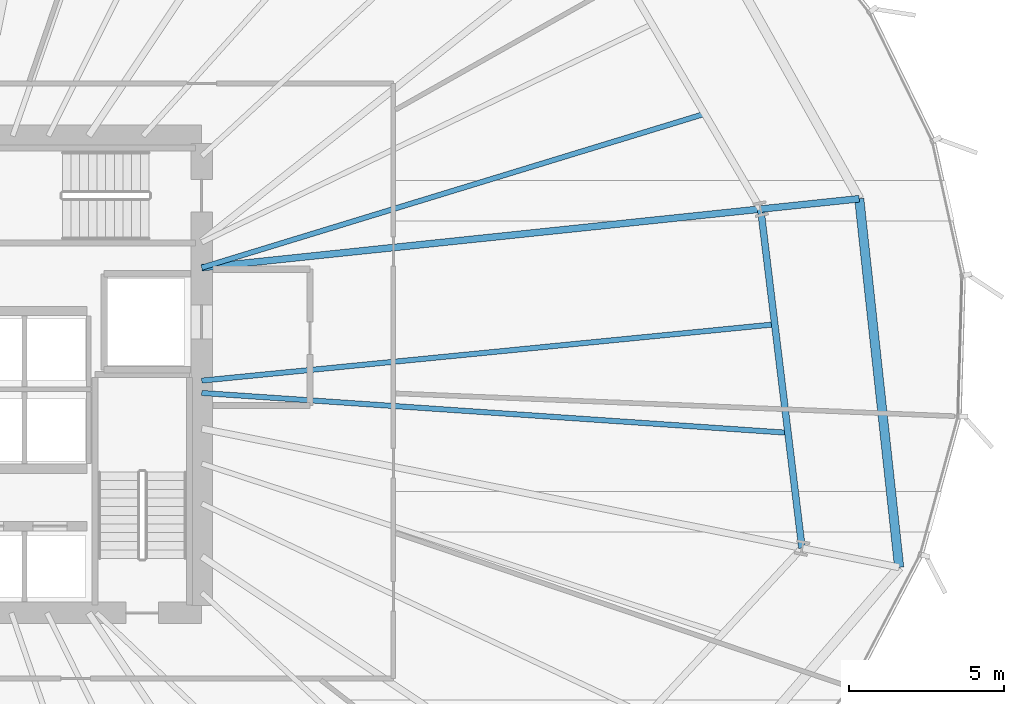
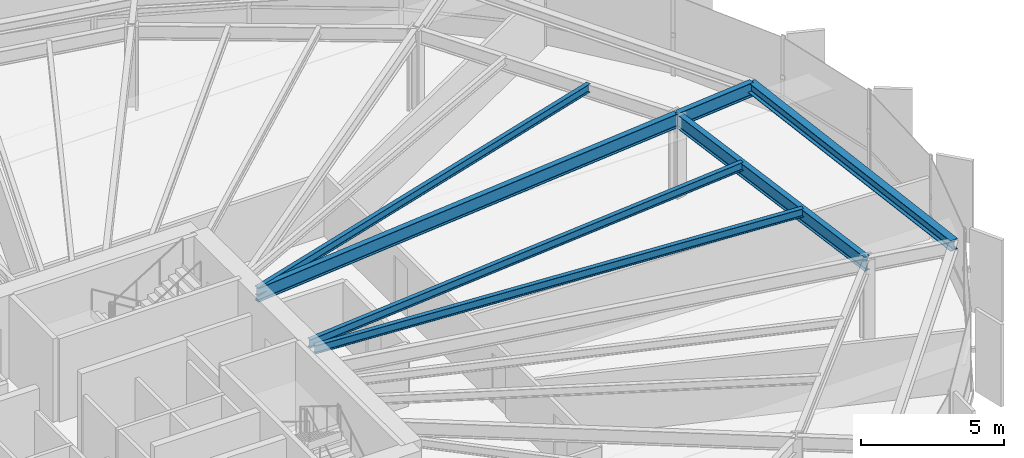
# One storey, part 17 of 38: 7 beams.
"""IFC4 building model written with IfcOpenShell, lengths in metres."""

from ifc_helpers import new_model, si_unit, direction, frame, origin, origin_2d, place, context, subcontext, project, spatial, i_section, extrude, source, transform, mapped, material, material_profile, profile_set, type_object, element, save


model = new_model("IFC4")

# Units and contexts
model_context = context("Model", 3, precision=1e-05, world=origin(), true_north=direction((0.0, 1.0)))
body_context = subcontext(model_context, "Body", "Model", "MODEL_VIEW")
ifc_project = project(units=[si_unit("LENGTHUNIT", "METRE"), si_unit("AREAUNIT", "SQUARE_METRE"), si_unit("VOLUMEUNIT", "CUBIC_METRE"), si_unit("PLANEANGLEUNIT", "RADIAN"), si_unit("MASSUNIT", "GRAM", prefix="KILO"), si_unit("THERMODYNAMICTEMPERATUREUNIT", "KELVIN")], contexts=[model_context])

# Site, building, storey
site_placement = place(None, origin())
site = spatial("IfcSite", under=ifc_project, at=site_placement, CompositionType="ELEMENT")
building_placement = place(site_placement, origin())
building = spatial("IfcBuilding", under=site, at=building_placement, Name="Kethvar Cultural Tower", CompositionType="ELEMENT")
storey_placement = place(building_placement, frame((0.0, 0.0, 52.39990234375)))
storey = spatial("IfcBuildingStorey", under=building, at=storey_placement, Name="L12", CompositionType="ELEMENT", Elevation=52.39990234375)

# Beams
ifc_material = material(Name="Steel S355J2", Category="steel")
ifc_material_profile_1 = material_profile(ifc_material, i_section(OverallWidth=0.219970703125, OverallDepth=0.60009765625, WebThickness=0.011962890625, FlangeThickness=0.01904296875, FilletRadius=0.02392578125, at=origin_2d()), Name="Steel S355J2 — IPE600")
ifc_profile_set_1 = profile_set([ifc_material_profile_1], Name="Steel S355J2 — IPE600")
beam_type_1 = type_object("IfcBeamType", Name="BM-IPE600", PredefinedType="BEAM", material=ifc_profile_set_1)
shared_shape_1 = source(origin(), body_context, "Body", "SweptSolid", [
    extrude(i_section(OverallWidth=0.219970703125, OverallDepth=0.60009765625, WebThickness=0.011962890625, FlangeThickness=0.01904296875, FilletRadius=0.02392578125, at=origin_2d()), origin(), (0.0, 0.0, 1.0), 18.155517578125),
])
beam_1_placement = place(storey_placement, frame((55.60009765625, 31.25, 3.248046875), z_axis=(0.994554710129, 0.104215778847, 0.0), x_axis=(-0.104215778847, 0.994554710129, 0.0)))
element("IfcBeam", 1, at=beam_1_placement, inside=storey, type_object=beam_type_1, Name="L12 Primary Radial Beam RB-01", PredefinedType="BEAM", context=body_context, shape_type="MappedRepresentation", body=[
    mapped(shared_shape_1, transform((0.0, 0.0, 0.0), scale=1.0)),
])
shared_shape_2 = source(origin(), body_context, "Body", "SweptSolid", [
    extrude(i_section(OverallWidth=0.219970703125, OverallDepth=0.60009765625, WebThickness=0.011962890625, FlangeThickness=0.01904296875, FilletRadius=0.02392578125, at=origin_2d()), origin(), (0.0, 0.0, 1.0), 3.199951171875),
])
beam_2_placement = place(storey_placement, frame((73.65673828125, 33.14208984375, 3.248046875), z_axis=(0.994554671638, 0.104216146169, 0.0), x_axis=(-0.104216146169, 0.994554671638, 0.0)))
element("IfcBeam", 2, at=beam_2_placement, inside=storey, type_object=beam_type_1, Name="L12 Perimeter Cantilever Beam RC-01", PredefinedType="BEAM", context=body_context, shape_type="MappedRepresentation", body=[
    mapped(shared_shape_2, transform((0.0, 0.0, 0.0), scale=1.0)),
])
ifc_material_profile_2 = material_profile(ifc_material, i_section(OverallWidth=0.169921875, OverallDepth=0.360107421875, WebThickness=0.008056640625, FlangeThickness=0.0126953125, FilletRadius=0.01806640625, at=origin_2d()), Name="Steel S355J2 — IPE360")
ifc_profile_set_2 = profile_set([ifc_material_profile_2], Name="Steel S355J2 — IPE360")
beam_type_2 = type_object("IfcBeamType", Name="BM-J360", PredefinedType="JOIST", material=ifc_profile_set_2)
shared_shape_3 = source(origin(), body_context, "Body", "SweptSolid", [
    extrude(i_section(OverallWidth=0.169921875, OverallDepth=0.360107421875, WebThickness=0.008056640625, FlangeThickness=0.0126953125, FilletRadius=0.01806640625, at=origin_2d()), origin(), (0.0, 0.0, 1.0), 16.990478515625),
])
beam_3_placement = place(storey_placement, frame((55.60009765625, 31.25, 3.3681640625), z_axis=(0.956287408668, 0.292428439149, 0.0), x_axis=(-0.292428439149, 0.956287408668, 0.0)))
element("IfcBeam", 3, at=beam_3_placement, inside=storey, type_object=beam_type_2, Name="L12 Composite Floor Joist J-01A", PredefinedType="JOIST", context=body_context, shape_type="MappedRepresentation", body=[
    mapped(shared_shape_3, transform((0.0, 0.0, 0.0), scale=1.0)),
])
shared_shape_4 = source(origin(), body_context, "Body", "SweptSolid", [
    extrude(i_section(OverallWidth=0.219970703125, OverallDepth=0.60009765625, WebThickness=0.011962890625, FlangeThickness=0.01904296875, FilletRadius=0.02392578125, at=origin_2d()), origin(), (0.0, 0.0, 1.0), 11.03076171875),
])
beam_4_placement = place(storey_placement, frame((74.9912109375, 22.1923828125, 3.248046875), z_axis=(-0.120977779442, 0.992655215511, 0.0), x_axis=(-0.992655215511, -0.120977779442, 0.0)))
element("IfcBeam", 4, at=beam_4_placement, inside=storey, type_object=beam_type_1, Name="L12 Column Ring Tie Beam CR-16", PredefinedType="BEAM", context=body_context, shape_type="MappedRepresentation", body=[
    mapped(shared_shape_4, transform((0.0, 0.0, 0.0), scale=1.0)),
])
shared_shape_5 = source(origin(), body_context, "Body", "SweptSolid", [
    extrude(i_section(OverallWidth=0.169921875, OverallDepth=0.360107421875, WebThickness=0.008056640625, FlangeThickness=0.0126953125, FilletRadius=0.01806640625, at=origin_2d()), origin(), (0.0, 0.0, 1.0), 18.981201171875),
])
beam_5_placement = place(storey_placement, frame((55.60009765625, 27.2021484375, 3.3681640625), z_axis=(0.997699141247, -0.067796928805, 0.0), x_axis=(0.067796928805, 0.997699141247, 0.0)))
element("IfcBeam", 5, at=beam_5_placement, inside=storey, type_object=beam_type_2, Name="L12 Composite Floor Joist J-16A", PredefinedType="JOIST", context=body_context, shape_type="MappedRepresentation", body=[
    mapped(shared_shape_5, transform((0.0, 0.0, 0.0), scale=1.0)),
])
shared_shape_6 = source(origin(), body_context, "Body", "SweptSolid", [
    extrude(i_section(OverallWidth=0.169921875, OverallDepth=0.360107421875, WebThickness=0.008056640625, FlangeThickness=0.0126953125, FilletRadius=0.01806640625, at=origin_2d()), origin(), (0.0, 0.0, 1.0), 18.599609375),
])
beam_6_placement = place(storey_placement, frame((55.60009765625, 27.60009765625, 3.3681640625), z_axis=(0.995205855092, 0.097802382335, 0.0), x_axis=(-0.097802382335, 0.995205855092, 0.0)))
element("IfcBeam", 6, at=beam_6_placement, inside=storey, type_object=beam_type_2, Name="L12 Composite Floor Joist J-16B", PredefinedType="JOIST", context=body_context, shape_type="MappedRepresentation", body=[
    mapped(shared_shape_6, transform((0.0, 0.0, 0.0), scale=1.0)),
])
ifc_material_profile_3 = material_profile(ifc_material, i_section(OverallWidth=0.300048828125, OverallDepth=0.449951171875, WebThickness=0.013916015625, FlangeThickness=0.02587890625, FilletRadius=0.027099609375, at=origin_2d()), Name="Steel S355J2 — HEB450")
ifc_profile_set_3 = profile_set([ifc_material_profile_3], Name="Steel S355J2 — HEB450")
beam_type_3 = type_object("IfcBeamType", Name="BM-SP450", PredefinedType="SPANDREL", material=ifc_profile_set_3)
shared_shape_7 = source(origin(), body_context, "Body", "SweptSolid", [
    extrude(i_section(OverallWidth=0.300048828125, OverallDepth=0.449951171875, WebThickness=0.013916015625, FlangeThickness=0.02587890625, FilletRadius=0.027099609375, at=origin_2d()), origin(), (0.0, 0.0, 1.0), 11.977294921875),
])
beam_7_placement = place(storey_placement, frame((78.129638671875, 21.568115234375, 3.322998046875), z_axis=(-0.107728520761, 0.994180348737, 0.0), x_axis=(-0.994180348737, -0.107728520761, 0.0)))
element("IfcBeam", 7, at=beam_7_placement, inside=storey, type_object=beam_type_3, Name="L12 Perimeter Spandrel Beam SP-16", PredefinedType="SPANDREL", context=body_context, shape_type="MappedRepresentation", body=[
    mapped(shared_shape_7, transform((0.0, 0.0, 0.0), scale=1.0)),
])

save(model, "model.ifc")
